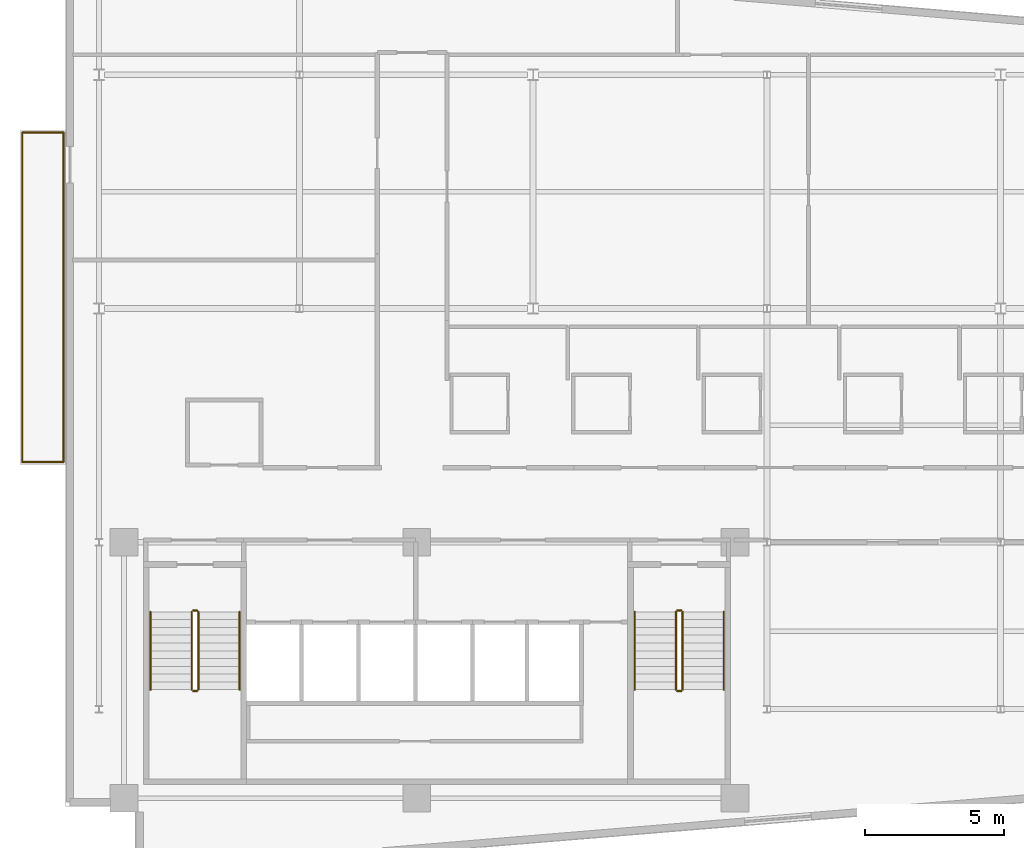
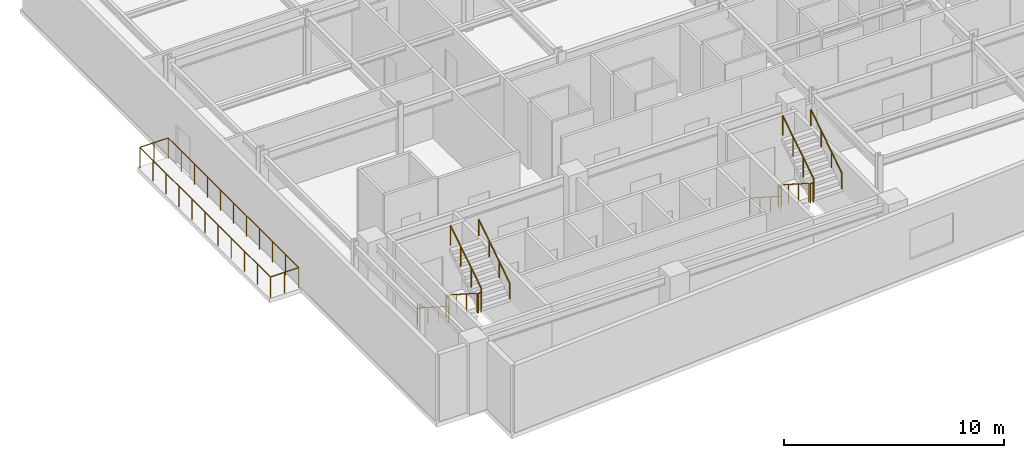
# One storey, part 15 of 17: 16 railings.
"""IFC4 building model written with IfcOpenShell, lengths in metres."""

from ifc_helpers import new_model, si_unit, direction, frame, origin, origin_2d, place, context, subcontext, project, spatial, circle, extrude, material, type_object, element, save


model = new_model("IFC4")

# Units and contexts
model_context = context("Model", 3, precision=1e-05, world=origin(), true_north=direction((0.0, 1.0)))
body_context = subcontext(model_context, "Body", "Model", "MODEL_VIEW")
ifc_project = project(units=[si_unit("LENGTHUNIT", "METRE"), si_unit("AREAUNIT", "SQUARE_METRE"), si_unit("VOLUMEUNIT", "CUBIC_METRE"), si_unit("PLANEANGLEUNIT", "RADIAN"), si_unit("MASSUNIT", "GRAM", prefix="KILO")], contexts=[model_context])

# Site, building, storey
site_placement = place(None, origin())
site = spatial("IfcSite", under=ifc_project, at=site_placement, CompositionType="ELEMENT")
building_placement = place(site_placement, origin())
building = spatial("IfcBuilding", under=site, at=building_placement, Name="Varnakote Quay Hospital", CompositionType="ELEMENT")
storey_placement = place(building_placement, frame((0.0, 0.0, 227.64990234375)))
storey = spatial("IfcBuildingStorey", under=building, at=storey_placement, Name="L56", CompositionType="ELEMENT", Elevation=227.64990234375)

# Railings
ifc_material_1 = material(Name="Anodised aluminium 6063-T6 Bronze", Category="aluminium")
railing_type_1 = type_object("IfcRailingType", Name="RLG-EXT-GUARD-1150", PredefinedType="GUARDRAIL", material=ifc_material_1)
railing_1_placement = place(storey_placement, frame((-0.075927734375, 14.8798828125, 0.0)))
element("IfcRailing", 1, at=railing_1_placement, inside=storey, type_object=railing_type_1, Name="L56 Zigzag Prow Healing Terrace Safety Guard", PredefinedType="GUARDRAIL", context=body_context, shape_type="SweptSolid", body=[
    extrude(circle(Radius=0.02392578125, at=origin_2d()), frame((0.0, 0.0, 1.1259765625), z_axis=(-1.0, 0.0, 0.0), x_axis=(0.0, -1.0, 0.0)), (0.0, 0.0, 1.0), 1.484130859375),
    extrude(circle(Radius=0.02099609375, at=origin_2d()), origin(), (0.0, 0.0, 1.0), 1.101806640625),
    extrude(circle(Radius=0.02099609375, at=origin_2d()), frame((-0.7421875, 0.0, 0.0)), (0.0, 0.0, 1.0), 1.101806640625),
    extrude(circle(Radius=0.02099609375, at=origin_2d()), frame((-1.484130859375, 0.0, 0.0)), (0.0, 0.0, 1.0), 1.101806640625),
])
railing_2_placement = place(storey_placement, frame((-1.56005859375, 14.8798828125, 0.0)))
element("IfcRailing", 2, at=railing_2_placement, inside=storey, type_object=railing_type_1, Name="L56 Zigzag Prow Healing Terrace Safety Guard", PredefinedType="GUARDRAIL", context=body_context, shape_type="SweptSolid", body=[
    extrude(circle(Radius=0.02392578125, at=origin_2d()), frame((0.0, 0.0, 1.1259765625), z_axis=(0.0, 1.0, 0.0), x_axis=(-1.0, 0.0, 0.0)), (0.0, 0.0, 1.0), 11.840087890625),
    extrude(circle(Radius=0.02099609375, at=origin_2d()), origin(), (0.0, 0.0, 1.0), 1.101806640625),
    extrude(circle(Radius=0.02099609375, at=origin_2d()), frame((0.0, 1.18408203125, 0.0)), (0.0, 0.0, 1.0), 1.101806640625),
    extrude(circle(Radius=0.02099609375, at=origin_2d()), frame((0.0, 2.367919921875, 0.0)), (0.0, 0.0, 1.0), 1.101806640625),
    extrude(circle(Radius=0.02099609375, at=origin_2d()), frame((0.0, 3.552001953125, 0.0)), (0.0, 0.0, 1.0), 1.101806640625),
    extrude(circle(Radius=0.02099609375, at=origin_2d()), frame((0.0, 4.736083984375, 0.0)), (0.0, 0.0, 1.0), 1.101806640625),
    extrude(circle(Radius=0.02099609375, at=origin_2d()), frame((0.0, 5.919921875, 0.0)), (0.0, 0.0, 1.0), 1.101806640625),
    extrude(circle(Radius=0.02099609375, at=origin_2d()), frame((0.0, 7.10400390625, 0.0)), (0.0, 0.0, 1.0), 1.101806640625),
    extrude(circle(Radius=0.02099609375, at=origin_2d()), frame((0.0, 8.2880859375, 0.0)), (0.0, 0.0, 1.0), 1.101806640625),
    extrude(circle(Radius=0.02099609375, at=origin_2d()), frame((0.0, 9.47216796875, 0.0)), (0.0, 0.0, 1.0), 1.101806640625),
    extrude(circle(Radius=0.02099609375, at=origin_2d()), frame((0.0, 10.656005859375, 0.0)), (0.0, 0.0, 1.0), 1.101806640625),
    extrude(circle(Radius=0.02099609375, at=origin_2d()), frame((0.0, 11.840087890625, 0.0)), (0.0, 0.0, 1.0), 1.101806640625),
])
railing_3_placement = place(storey_placement, frame((-1.56005859375, 26.719970703125, 0.0)))
element("IfcRailing", 3, at=railing_3_placement, inside=storey, type_object=railing_type_1, Name="L56 Zigzag Prow Healing Terrace Safety Guard", PredefinedType="GUARDRAIL", context=body_context, shape_type="SweptSolid", body=[
    extrude(circle(Radius=0.02392578125, at=origin_2d()), frame((0.0, 0.0, 1.1259765625), z_axis=(1.0, 0.0, 0.0), x_axis=(0.0, 1.0, 0.0)), (0.0, 0.0, 1.0), 1.484130859375),
    extrude(circle(Radius=0.02099609375, at=origin_2d()), origin(), (0.0, 0.0, 1.0), 1.101806640625),
    extrude(circle(Radius=0.02099609375, at=origin_2d()), frame((0.7421875, 0.0, 0.0)), (0.0, 0.0, 1.0), 1.101806640625),
    extrude(circle(Radius=0.02099609375, at=origin_2d()), frame((1.484130859375, 0.0, 0.0)), (0.0, 0.0, 1.0), 1.101806640625),
])
railing_4_placement = place(storey_placement, frame((-0.075927734375, 26.719970703125, 0.0)))
element("IfcRailing", 4, at=railing_4_placement, inside=storey, type_object=railing_type_1, Name="L56 Zigzag Prow Healing Terrace Safety Guard", PredefinedType="GUARDRAIL", context=body_context, shape_type="SweptSolid", body=[
    extrude(circle(Radius=0.02392578125, at=origin_2d()), frame((0.0, 0.0, 1.1259765625), z_axis=(0.0, -1.0, 0.0), x_axis=(1.0, 0.0, 0.0)), (0.0, 0.0, 1.0), 11.840087890625),
    extrude(circle(Radius=0.02099609375, at=origin_2d()), origin(), (0.0, 0.0, 1.0), 1.101806640625),
    extrude(circle(Radius=0.02099609375, at=origin_2d()), frame((0.0, -1.18408203125, 0.0)), (0.0, 0.0, 1.0), 1.101806640625),
    extrude(circle(Radius=0.02099609375, at=origin_2d()), frame((0.0, -2.367919921875, 0.0)), (0.0, 0.0, 1.0), 1.101806640625),
    extrude(circle(Radius=0.02099609375, at=origin_2d()), frame((0.0, -3.552001953125, 0.0)), (0.0, 0.0, 1.0), 1.101806640625),
    extrude(circle(Radius=0.02099609375, at=origin_2d()), frame((0.0, -4.736083984375, 0.0)), (0.0, 0.0, 1.0), 1.101806640625),
    extrude(circle(Radius=0.02099609375, at=origin_2d()), frame((0.0, -5.919921875, 0.0)), (0.0, 0.0, 1.0), 1.101806640625),
    extrude(circle(Radius=0.02099609375, at=origin_2d()), frame((0.0, -7.10400390625, 0.0)), (0.0, 0.0, 1.0), 1.101806640625),
    extrude(circle(Radius=0.02099609375, at=origin_2d()), frame((0.0, -8.2880859375, 0.0)), (0.0, 0.0, 1.0), 1.101806640625),
    extrude(circle(Radius=0.02099609375, at=origin_2d()), frame((0.0, -9.47216796875, 0.0)), (0.0, 0.0, 1.0), 1.101806640625),
    extrude(circle(Radius=0.02099609375, at=origin_2d()), frame((0.0, -10.656005859375, 0.0)), (0.0, 0.0, 1.0), 1.101806640625),
    extrude(circle(Radius=0.02099609375, at=origin_2d()), frame((0.0, -11.840087890625, 0.0)), (0.0, 0.0, 1.0), 1.101806640625),
])
ifc_material_2 = material(Name="Brushed stainless steel balustrade", Category="steel")
railing_type_2 = type_object("IfcRailingType", Name="RLG-STAIR-GUARD-1150", PredefinedType="GUARDRAIL", material=ifc_material_2)
railing_5_placement = place(storey_placement, frame((4.530029296875, 9.5, 0.1796875)))
element("IfcRailing", 5, at=railing_5_placement, inside=storey, type_object=railing_type_2, Name="L56 ST-01 stair guard 1", PredefinedType="GUARDRAIL", context=body_context, shape_type="SweptSolid", body=[
    extrude(circle(Radius=0.02392578125, at=origin_2d()), frame((0.0, 0.0, 1.076171875), z_axis=(0.0, -0.841809871826, 0.539774156196), x_axis=(1.0, 0.0, 0.0)), (0.0, 0.0, 1.0), 3.326171875),
    extrude(circle(Radius=0.02099609375, at=origin_2d()), origin(), (0.0, 0.0, 1.0), 1.052001953125),
    extrude(circle(Radius=0.02099609375, at=origin_2d()), frame((0.0, -0.933349609375, 0.598388671875)), (0.0, 0.0, 1.0), 1.052001953125),
    extrude(circle(Radius=0.02099609375, at=origin_2d()), frame((0.0, -1.86669921875, 1.197021484375)), (0.0, 0.0, 1.0), 1.052001953125),
    extrude(circle(Radius=0.02099609375, at=origin_2d()), frame((0.0, -2.800048828125, 1.79541015625)), (0.0, 0.0, 1.0), 1.052001953125),
])
railing_6_placement = place(storey_placement, frame((4.580078125, 6.64990234375, 1.97509765625)))
element("IfcRailing", 6, at=railing_6_placement, inside=storey, type_object=railing_type_2, Name="L56 ST-01 stair guard 2", PredefinedType="GUARDRAIL", context=body_context, shape_type="SweptSolid", body=[
    extrude(circle(Radius=0.02392578125, at=origin_2d()), frame((0.0, 0.0, 1.076171875), z_axis=(1.0, 0.0, 0.0), x_axis=(0.0, 1.0, 0.0)), (0.0, 0.0, 1.0), 0.139892578125),
    extrude(circle(Radius=0.02099609375, at=origin_2d()), origin(), (0.0, 0.0, 1.0), 1.052001953125),
    extrude(circle(Radius=0.02099609375, at=origin_2d()), frame((0.139892578125, 0.0, 0.0)), (0.0, 0.0, 1.0), 1.052001953125),
])
railing_7_placement = place(storey_placement, frame((4.77001953125, 6.699951171875, 2.154541015625)))
element("IfcRailing", 7, at=railing_7_placement, inside=storey, type_object=railing_type_2, Name="L56 ST-01 stair guard 3", PredefinedType="GUARDRAIL", context=body_context, shape_type="SweptSolid", body=[
    extrude(circle(Radius=0.02392578125, at=origin_2d()), frame((0.0, 0.0, 1.076171875), z_axis=(0.0, 0.841776520102, 0.539826166654), x_axis=(-1.0, 0.0, 0.0)), (0.0, 0.0, 1.0), 3.326416015625),
    extrude(circle(Radius=0.02099609375, at=origin_2d()), origin(), (0.0, 0.0, 1.0), 1.052001953125),
    extrude(circle(Radius=0.02099609375, at=origin_2d()), frame((0.0, 0.933349609375, 0.5986328125)), (0.0, 0.0, 1.0), 1.052001953125),
    extrude(circle(Radius=0.02099609375, at=origin_2d()), frame((0.0, 1.86669921875, 1.197021484375)), (0.0, 0.0, 1.0), 1.052001953125),
    extrude(circle(Radius=0.02099609375, at=origin_2d()), frame((0.0, 2.800048828125, 1.795654296875)), (0.0, 0.0, 1.0), 1.052001953125),
])
railing_8_placement = place(storey_placement, frame((4.580078125, 9.550048828125, 0.0)))
element("IfcRailing", 8, at=railing_8_placement, inside=storey, type_object=railing_type_2, Name="L56 ST-01 stair guard 4", PredefinedType="GUARDRAIL", context=body_context, shape_type="SweptSolid", body=[
    extrude(circle(Radius=0.02392578125, at=origin_2d()), frame((0.0, 0.0, 1.076171875), z_axis=(1.0, 0.0, 0.0), x_axis=(0.0, 1.0, 0.0)), (0.0, 0.0, 1.0), 0.139892578125),
    extrude(circle(Radius=0.02099609375, at=origin_2d()), origin(), (0.0, 0.0, 1.0), 1.052001953125),
    extrude(circle(Radius=0.02099609375, at=origin_2d()), frame((0.139892578125, 0.0, 0.0)), (0.0, 0.0, 1.0), 1.052001953125),
])
railing_9_placement = place(storey_placement, frame((21.929931640625, 9.5, 0.1796875)))
element("IfcRailing", 9, at=railing_9_placement, inside=storey, type_object=railing_type_2, Name="L56 ST-02 stair guard 1", PredefinedType="GUARDRAIL", context=body_context, shape_type="SweptSolid", body=[
    extrude(circle(Radius=0.02392578125, at=origin_2d()), frame((0.0, 0.0, 1.076171875), z_axis=(0.0, -0.841809871826, 0.539774156196), x_axis=(1.0, 0.0, 0.0)), (0.0, 0.0, 1.0), 3.326171875),
    extrude(circle(Radius=0.02099609375, at=origin_2d()), origin(), (0.0, 0.0, 1.0), 1.052001953125),
    extrude(circle(Radius=0.02099609375, at=origin_2d()), frame((0.0, -0.933349609375, 0.598388671875)), (0.0, 0.0, 1.0), 1.052001953125),
    extrude(circle(Radius=0.02099609375, at=origin_2d()), frame((0.0, -1.86669921875, 1.197021484375)), (0.0, 0.0, 1.0), 1.052001953125),
    extrude(circle(Radius=0.02099609375, at=origin_2d()), frame((0.0, -2.800048828125, 1.79541015625)), (0.0, 0.0, 1.0), 1.052001953125),
])
railing_10_placement = place(storey_placement, frame((21.97998046875, 6.64990234375, 1.97509765625)))
element("IfcRailing", 10, at=railing_10_placement, inside=storey, type_object=railing_type_2, Name="L56 ST-02 stair guard 2", PredefinedType="GUARDRAIL", context=body_context, shape_type="SweptSolid", body=[
    extrude(circle(Radius=0.02392578125, at=origin_2d()), frame((0.0, 0.0, 1.076171875), z_axis=(1.0, 0.0, 0.0), x_axis=(0.0, 1.0, 0.0)), (0.0, 0.0, 1.0), 0.14013671875),
    extrude(circle(Radius=0.02099609375, at=origin_2d()), origin(), (0.0, 0.0, 1.0), 1.052001953125),
    extrude(circle(Radius=0.02099609375, at=origin_2d()), frame((0.14013671875, 0.0, 0.0)), (0.0, 0.0, 1.0), 1.052001953125),
])
railing_11_placement = place(storey_placement, frame((22.169921875, 6.699951171875, 2.154541015625)))
element("IfcRailing", 11, at=railing_11_placement, inside=storey, type_object=railing_type_2, Name="L56 ST-02 stair guard 3", PredefinedType="GUARDRAIL", context=body_context, shape_type="SweptSolid", body=[
    extrude(circle(Radius=0.02392578125, at=origin_2d()), frame((0.0, 0.0, 1.076171875), z_axis=(0.0, 0.841776520102, 0.539826166654), x_axis=(-1.0, 0.0, 0.0)), (0.0, 0.0, 1.0), 3.326416015625),
    extrude(circle(Radius=0.02099609375, at=origin_2d()), origin(), (0.0, 0.0, 1.0), 1.052001953125),
    extrude(circle(Radius=0.02099609375, at=origin_2d()), frame((0.0, 0.933349609375, 0.5986328125)), (0.0, 0.0, 1.0), 1.052001953125),
    extrude(circle(Radius=0.02099609375, at=origin_2d()), frame((0.0, 1.86669921875, 1.197021484375)), (0.0, 0.0, 1.0), 1.052001953125),
    extrude(circle(Radius=0.02099609375, at=origin_2d()), frame((0.0, 2.800048828125, 1.795654296875)), (0.0, 0.0, 1.0), 1.052001953125),
])
railing_12_placement = place(storey_placement, frame((21.97998046875, 9.550048828125, 0.0)))
element("IfcRailing", 12, at=railing_12_placement, inside=storey, type_object=railing_type_2, Name="L56 ST-02 stair guard 4", PredefinedType="GUARDRAIL", context=body_context, shape_type="SweptSolid", body=[
    extrude(circle(Radius=0.02392578125, at=origin_2d()), frame((0.0, 0.0, 1.076171875), z_axis=(1.0, 0.0, 0.0), x_axis=(0.0, 1.0, 0.0)), (0.0, 0.0, 1.0), 0.14013671875),
    extrude(circle(Radius=0.02099609375, at=origin_2d()), origin(), (0.0, 0.0, 1.0), 1.052001953125),
    extrude(circle(Radius=0.02099609375, at=origin_2d()), frame((0.14013671875, 0.0, 0.0)), (0.0, 0.0, 1.0), 1.052001953125),
])
ifc_material_3 = material(Name="Brushed stainless steel handrail", Category="steel")
railing_type_3 = type_object("IfcRailingType", Name="RLG-STAIR-HND-920", PredefinedType="HANDRAIL", material=ifc_material_3)
railing_13_placement = place(storey_placement, frame((3.050048828125, 9.5, 0.1796875)))
element("IfcRailing", 13, at=railing_13_placement, inside=storey, type_object=railing_type_3, Name="L56 ST-01 stair handrail 1", PredefinedType="HANDRAIL", context=body_context, shape_type="SweptSolid", body=[
    extrude(circle(Radius=0.02392578125, at=origin_2d()), frame((0.0, 0.0, 0.8759765625), z_axis=(0.0, -0.841809871826, 0.539774156196), x_axis=(1.0, 0.0, 0.0)), (0.0, 0.0, 1.0), 3.326171875),
    extrude(circle(Radius=0.02099609375, at=origin_2d()), origin(), (0.0, 0.0, 1.0), 0.851806640625),
    extrude(circle(Radius=0.02099609375, at=origin_2d()), frame((0.0, -0.933349609375, 0.598388671875)), (0.0, 0.0, 1.0), 0.851806640625),
    extrude(circle(Radius=0.02099609375, at=origin_2d()), frame((0.0, -1.86669921875, 1.197021484375)), (0.0, 0.0, 1.0), 0.851806640625),
    extrude(circle(Radius=0.02099609375, at=origin_2d()), frame((0.0, -2.800048828125, 1.79541015625)), (0.0, 0.0, 1.0), 0.851806640625),
])
railing_14_placement = place(storey_placement, frame((6.25, 6.699951171875, 2.154541015625)))
element("IfcRailing", 14, at=railing_14_placement, inside=storey, type_object=railing_type_3, Name="L56 ST-01 stair handrail 2", PredefinedType="HANDRAIL", context=body_context, shape_type="SweptSolid", body=[
    extrude(circle(Radius=0.02392578125, at=origin_2d()), frame((0.0, 0.0, 0.8759765625), z_axis=(0.0, 0.841776520102, 0.539826166654), x_axis=(-1.0, 0.0, 0.0)), (0.0, 0.0, 1.0), 3.326416015625),
    extrude(circle(Radius=0.02099609375, at=origin_2d()), origin(), (0.0, 0.0, 1.0), 0.851806640625),
    extrude(circle(Radius=0.02099609375, at=origin_2d()), frame((0.0, 0.933349609375, 0.5986328125)), (0.0, 0.0, 1.0), 0.851806640625),
    extrude(circle(Radius=0.02099609375, at=origin_2d()), frame((0.0, 1.86669921875, 1.197021484375)), (0.0, 0.0, 1.0), 0.851806640625),
    extrude(circle(Radius=0.02099609375, at=origin_2d()), frame((0.0, 2.800048828125, 1.795654296875)), (0.0, 0.0, 1.0), 0.851806640625),
])
railing_15_placement = place(storey_placement, frame((20.449951171875, 9.5, 0.1796875)))
element("IfcRailing", 15, at=railing_15_placement, inside=storey, type_object=railing_type_3, Name="L56 ST-02 stair handrail 1", PredefinedType="HANDRAIL", context=body_context, shape_type="SweptSolid", body=[
    extrude(circle(Radius=0.02392578125, at=origin_2d()), frame((0.0, 0.0, 0.8759765625), z_axis=(0.0, -0.841809871826, 0.539774156196), x_axis=(1.0, 0.0, 0.0)), (0.0, 0.0, 1.0), 3.326171875),
    extrude(circle(Radius=0.02099609375, at=origin_2d()), origin(), (0.0, 0.0, 1.0), 0.851806640625),
    extrude(circle(Radius=0.02099609375, at=origin_2d()), frame((0.0, -0.933349609375, 0.598388671875)), (0.0, 0.0, 1.0), 0.851806640625),
    extrude(circle(Radius=0.02099609375, at=origin_2d()), frame((0.0, -1.86669921875, 1.197021484375)), (0.0, 0.0, 1.0), 0.851806640625),
    extrude(circle(Radius=0.02099609375, at=origin_2d()), frame((0.0, -2.800048828125, 1.79541015625)), (0.0, 0.0, 1.0), 0.851806640625),
])
railing_16_placement = place(storey_placement, frame((23.64990234375, 6.699951171875, 2.154541015625)))
element("IfcRailing", 16, at=railing_16_placement, inside=storey, type_object=railing_type_3, Name="L56 ST-02 stair handrail 2", PredefinedType="HANDRAIL", context=body_context, shape_type="SweptSolid", body=[
    extrude(circle(Radius=0.02392578125, at=origin_2d()), frame((0.0, 0.0, 0.8759765625), z_axis=(0.0, 0.841776520102, 0.539826166654), x_axis=(-1.0, 0.0, 0.0)), (0.0, 0.0, 1.0), 3.326416015625),
    extrude(circle(Radius=0.02099609375, at=origin_2d()), origin(), (0.0, 0.0, 1.0), 0.851806640625),
    extrude(circle(Radius=0.02099609375, at=origin_2d()), frame((0.0, 0.933349609375, 0.5986328125)), (0.0, 0.0, 1.0), 0.851806640625),
    extrude(circle(Radius=0.02099609375, at=origin_2d()), frame((0.0, 1.86669921875, 1.197021484375)), (0.0, 0.0, 1.0), 0.851806640625),
    extrude(circle(Radius=0.02099609375, at=origin_2d()), frame((0.0, 2.800048828125, 1.795654296875)), (0.0, 0.0, 1.0), 0.851806640625),
])

save(model, "model.ifc")
